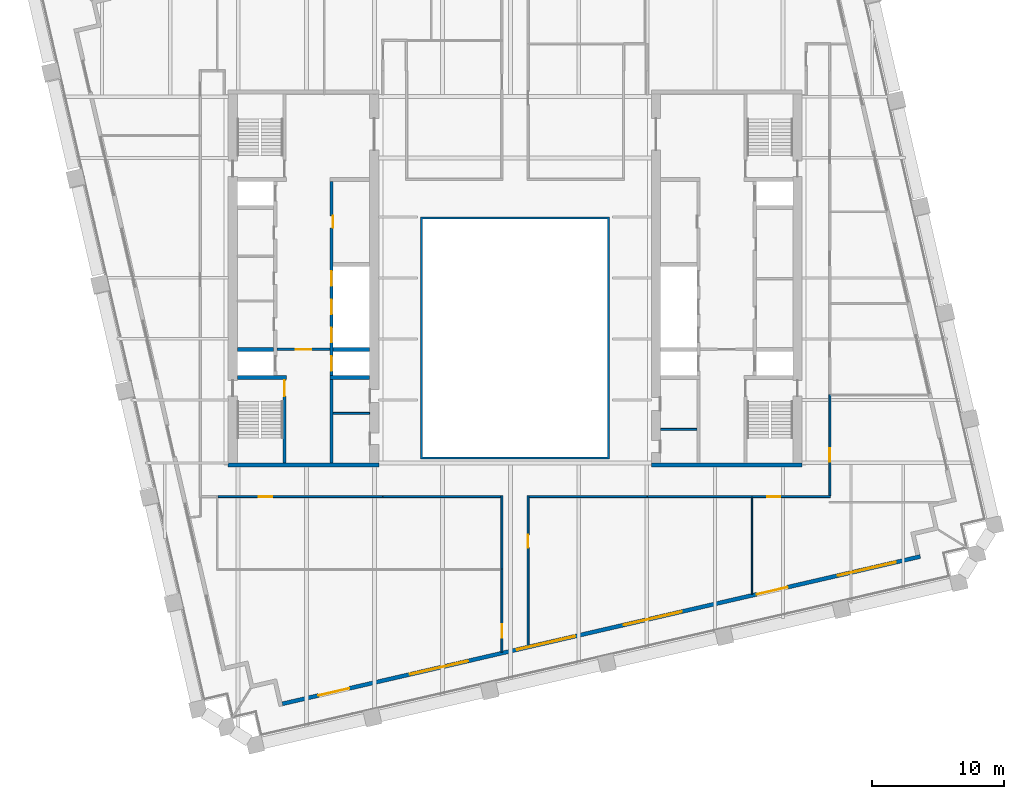
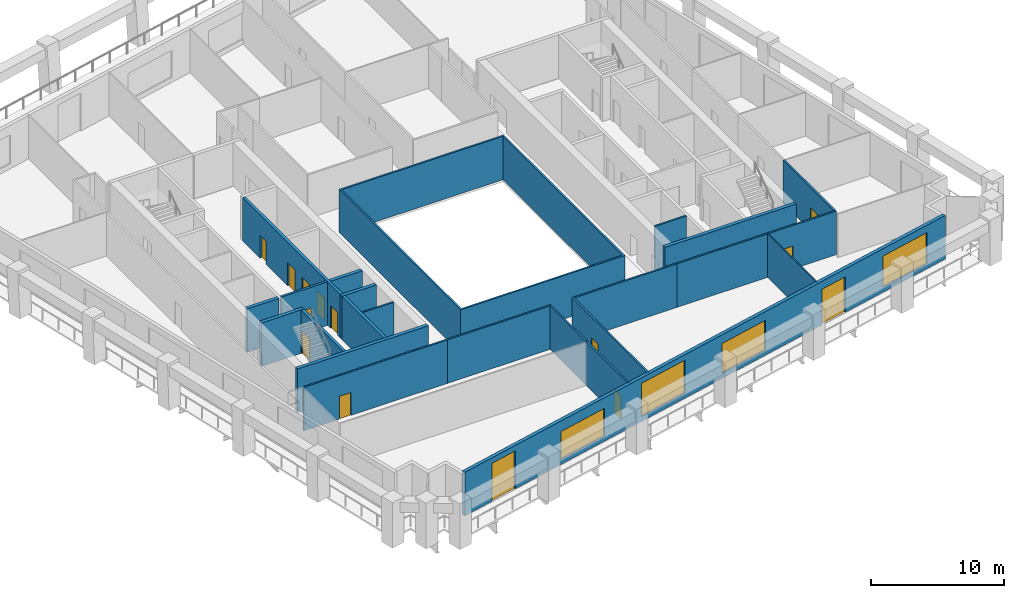
# One storey, part 4 of 10: 23 walls, 14 doors, 4 windows, 18 openings.
"""IFC4 building model written with IfcOpenShell, lengths in metres."""

from ifc_helpers import new_model, si_unit, direction, frame, frame_2d, origin, place, context, subcontext, project, spatial, polyline, rectangle, outline, extrude, material, layer, layer_set, type_object, element, fill, save


model = new_model("IFC4")

# Units and contexts
model_context = context("Model", 3, precision=1e-05, world=origin(), true_north=direction((0.0, 1.0)))
body_context = subcontext(model_context, "Body", "Model", "MODEL_VIEW")
ifc_project = project(units=[si_unit("LENGTHUNIT", "METRE"), si_unit("AREAUNIT", "SQUARE_METRE"), si_unit("VOLUMEUNIT", "CUBIC_METRE"), si_unit("PLANEANGLEUNIT", "RADIAN"), si_unit("MASSUNIT", "GRAM", prefix="KILO")], contexts=[model_context])

# Site, building, storey
site_placement = place(None, origin())
site = spatial("IfcSite", under=ifc_project, at=site_placement, CompositionType="ELEMENT")
building_placement = place(site_placement, origin())
building = spatial("IfcBuilding", under=site, at=building_placement, Name="Ogive Exchange Tower", CompositionType="ELEMENT")
storey_placement = place(building_placement, frame((0.0, 0.0, 201.0)))
storey = spatial("IfcBuildingStorey", under=building, at=storey_placement, Name="L44", CompositionType="ELEMENT", Elevation=201.0)

# Walls
ifc_material_1 = material(Name="Gypsum board partition")
ifc_layer_1 = layer(ifc_material_1, 0.14990234375)
ifc_layer_set_1 = layer_set([ifc_layer_1], Name="Core room partition 150 gypsum")
wall_type_1 = type_object("IfcWallType", Name="Core room partition 150 gypsum", PredefinedType="PARTITIONING", material=ifc_layer_set_1)
for number, where, z_axis, x_axis, name in (
    (1, (-13.75, 1.300048828125, 0.0), (0.0, 0.0, 1.0), (1.0, 0.0, 0.0), "W south room partition"),
    (2, (11.0, 0.10009765625, 0.0), (0.0, 0.0, 1.0), (1.0, 0.0, 0.0), "E south room partition"),
):
    element("IfcWall", number, at=place(storey_placement, frame(where, z_axis=z_axis, x_axis=x_axis)), inside=storey, type_object=wall_type_1, Name=name, PredefinedType="PARTITIONING", context=body_context, shape_type="SweptSolid", body=[
        extrude(rectangle(XDim=2.75, YDim=0.14990234375, at=frame_2d((1.375, 0.0))), origin(), (0.0, 0.0, 1.0), 4.0),
    ])

# Wall, opening, door
ifc_material_2 = material(Name="Fire partition EI 60 150")
ifc_layer_2 = layer(ifc_material_2, 0.14990234375)
ifc_layer_set_2 = layer_set([ifc_layer_2], Name="Fire partition EI 60 150")
wall_type_2 = type_object("IfcWallType", Name="Fire partition EI 60 150", PredefinedType="PARTITIONING", material=ifc_layer_set_2)
wall_1_placement = place(storey_placement, frame((-10.0, -5.0, 0.0), z_axis=(0.0, 0.0, 1.0), x_axis=(-1.0, 0.0, 0.0)))
wall_1 = element("IfcWall", 3, at=wall_1_placement, inside=storey, type_object=wall_type_2, Name="L44-PWL-013", PredefinedType="PARTITIONING", context=body_context, shape_type="SweptSolid", body=[
    extrude(rectangle(XDim=12.469970703125, YDim=0.14990234375, at=frame_2d((6.23486328125, 0.0))), origin(), (0.0, 0.0, 1.0), 4.0),
])
opening_1_placement = place(wall_1_placement, frame((8.3701171875, 0.0, 0.0)))
opening_1 = element("IfcOpeningElement", 4, at=opening_1_placement, cuts=wall_1, Name="Opening L44-I07", PredefinedType="OPENING", context=body_context, shape_type="SweptSolid", body=[
    extrude(rectangle(XDim=1.0, YDim=2.10009765625, at=frame_2d((0.5, 1.050048828125))), frame((0.0, 0.0849609375, 0.0), z_axis=(0.0, -1.0, 0.0), x_axis=(1.0, 0.0, 0.0)), (0.0, 0.0, 1.0), 0.169921875),
])
ifc_material_3 = material(Name="Fire door FD 30S 1000 x 2100")
door_type_1 = type_object("IfcDoorType", Name="Fire door FD 30S 1000 x 2100", OperationType="NOTDEFINED", PredefinedType="DOOR", material=ifc_material_3)
door_1_placement = place(opening_1_placement, origin())
door_1 = element("IfcDoor", 5, at=door_1_placement, inside=storey, type_object=door_type_1, Name="L44-IDR-007", ObjectType="DT3", OperationType="SINGLE_SWING_LEFT", OverallHeight=2.10009765625, OverallWidth=1.0, PredefinedType="DOOR", context=body_context, shape_type="SweptSolid", body=[
    extrude(rectangle(XDim=1.0, YDim=2.10009765625, at=frame_2d((0.5, 1.050048828125))), frame((0.0, 0.02490234375, 0.0), z_axis=(0.0, -1.0, 0.0), x_axis=(1.0, 0.0, 0.0)), (0.0, 0.0, 1.0), 0.050048828125),
])
fill(opening_1, door_1)

wall_2_placement = place(storey_placement, frame((-0.989990234375, -16.7529296875, 0.0), z_axis=(0.0, 0.0, 1.0), x_axis=(0.0, 1.0, 0.0)))
wall_2 = element("IfcWall", 6, at=wall_2_placement, inside=storey, type_object=wall_type_2, Name="L44-PWL-023", PredefinedType="PARTITIONING", context=body_context, shape_type="SweptSolid", body=[
    extrude(rectangle(XDim=6.302978515625, YDim=0.14990234375, at=frame_2d((3.1513671875, 0.0))), origin(), (0.0, 0.0, 1.0), 4.0),
])
opening_2_placement = place(wall_2_placement, frame((1.10302734375, 0.0, 0.0)))
opening_2 = element("IfcOpeningElement", 7, at=opening_2_placement, cuts=wall_2, Name="Opening L44-I08", PredefinedType="OPENING", context=body_context, shape_type="SweptSolid", body=[
    extrude(rectangle(XDim=1.0, YDim=2.10009765625, at=frame_2d((0.5, 1.050048828125))), frame((0.0, 0.0849609375, 0.0), z_axis=(0.0, -1.0, 0.0), x_axis=(1.0, 0.0, 0.0)), (0.0, 0.0, 1.0), 0.169921875),
])
door_2_placement = place(opening_2_placement, origin())
door_2 = element("IfcDoor", 8, at=door_2_placement, inside=storey, type_object=door_type_1, Name="L44-IDR-008", ObjectType="DT3", OperationType="SINGLE_SWING_RIGHT", OverallHeight=2.10009765625, OverallWidth=1.0, PredefinedType="DOOR", context=body_context, shape_type="SweptSolid", body=[
    extrude(rectangle(XDim=1.0, YDim=2.10009765625, at=frame_2d((0.5, 1.050048828125))), frame((0.0, 0.02490234375, 0.0), z_axis=(0.0, -1.0, 0.0), x_axis=(1.0, 0.0, 0.0)), (0.0, 0.0, 1.0), 0.050048828125),
])
fill(opening_2, door_2)

# Walls
wall_3_placement = place(storey_placement, frame((-0.989990234375, -10.449951171875, 0.0), z_axis=(0.0, 0.0, 1.0), x_axis=(0.0, 1.0, 0.0)))
element("IfcWall", 9, at=wall_3_placement, inside=storey, type_object=wall_type_2, Name="L44-PWL-025", PredefinedType="PARTITIONING", context=body_context, shape_type="SweptSolid", body=[
    extrude(rectangle(XDim=5.52490234375, YDim=0.14990234375, at=frame_2d((2.762451171875, 0.0))), origin(), (0.0, 0.0, 1.0), 4.0),
])
wall_4_placement = place(storey_placement, frame((-1.06494140625, -5.0, 0.0), z_axis=(0.0, 0.0, 1.0), x_axis=(-1.0, 0.0, 0.0)))
element("IfcWall", 10, at=wall_4_placement, inside=storey, type_object=wall_type_2, Name="L44-PWL-026", PredefinedType="PARTITIONING", context=body_context, shape_type="SweptSolid", body=[
    extrude(rectangle(XDim=8.93505859375, YDim=0.14990234375, at=frame_2d((4.467529296875, 0.0))), origin(), (0.0, 0.0, 1.0), 4.0),
])

# Wall, opening, door
wall_5_placement = place(storey_placement, frame((0.989990234375, -4.925048828125, 0.0), z_axis=(0.0, 0.0, 1.0), x_axis=(0.0, -1.0, 0.0)))
wall_5 = element("IfcWall", 11, at=wall_5_placement, inside=storey, type_object=wall_type_2, Name="L44-PWL-029", PredefinedType="PARTITIONING", context=body_context, shape_type="SweptSolid", body=[
    extrude(rectangle(XDim=11.370849609375, YDim=0.14990234375, at=frame_2d((5.685546875, 0.0))), origin(), (0.0, 0.0, 1.0), 4.0),
])
opening_3_placement = place(wall_5_placement, frame((2.945068359375, 0.0, 0.0)))
opening_3 = element("IfcOpeningElement", 12, at=opening_3_placement, cuts=wall_5, Name="Opening L44-I12", PredefinedType="OPENING", context=body_context, shape_type="SweptSolid", body=[
    extrude(rectangle(XDim=1.0, YDim=2.10009765625, at=frame_2d((0.5, 1.050048828125))), frame((0.0, 0.0849609375, 0.0), z_axis=(0.0, -1.0, 0.0), x_axis=(1.0, 0.0, 0.0)), (0.0, 0.0, 1.0), 0.169921875),
])
door_3_placement = place(opening_3_placement, origin())
door_3 = element("IfcDoor", 13, at=door_3_placement, inside=storey, type_object=door_type_1, Name="L44-IDR-012", ObjectType="DT3", OperationType="SINGLE_SWING_RIGHT", OverallHeight=2.10009765625, OverallWidth=1.0, PredefinedType="DOOR", context=body_context, shape_type="SweptSolid", body=[
    extrude(rectangle(XDim=1.0, YDim=2.10009765625, at=frame_2d((0.5, 1.050048828125))), frame((0.0, 0.02490234375, 0.0), z_axis=(0.0, -1.0, 0.0), x_axis=(1.0, 0.0, 0.0)), (0.0, 0.0, 1.0), 0.050048828125),
])
fill(opening_3, door_3)

# Walls
wall_6_placement = place(storey_placement, frame((10.0, -5.0, 0.0), z_axis=(0.0, 0.0, 1.0), x_axis=(-1.0, 0.0, 0.0)))
element("IfcWall", 14, at=wall_6_placement, inside=storey, type_object=wall_type_2, Name="L44-PWL-039", PredefinedType="PARTITIONING", context=body_context, shape_type="SweptSolid", body=[
    extrude(rectangle(XDim=8.93505859375, YDim=0.14990234375, at=frame_2d((4.467529296875, 0.0))), origin(), (0.0, 0.0, 1.0), 4.0),
])
wall_7_placement = place(storey_placement, frame((17.969970703125, -5.0, 0.0), z_axis=(0.0, 0.0, 1.0), x_axis=(-1.0, 0.0, 0.0)))
element("IfcWall", 15, at=wall_7_placement, inside=storey, type_object=wall_type_2, Name="L44-PWL-041", PredefinedType="PARTITIONING", context=body_context, shape_type="SweptSolid", body=[
    extrude(rectangle(XDim=7.969970703125, YDim=0.14990234375, at=frame_2d((3.98486328125, 0.0))), origin(), (0.0, 0.0, 1.0), 4.0),
])

# Wall, opening, door
wall_8_placement = place(storey_placement, frame((23.840087890625, -5.0, 0.0), z_axis=(0.0, 0.0, 1.0), x_axis=(-1.0, 0.0, 0.0)))
wall_8 = element("IfcWall", 16, at=wall_8_placement, inside=storey, type_object=wall_type_2, Name="L44-PWL-047", PredefinedType="PARTITIONING", context=body_context, shape_type="SweptSolid", body=[
    extrude(rectangle(XDim=5.920166015625, YDim=0.14990234375, at=frame_2d((2.9599609375, 0.0))), origin(), (0.0, 0.0, 1.0), 4.0),
])
opening_4_placement = place(wall_8_placement, frame((3.77001953125, 0.0, 0.0)))
opening_4 = element("IfcOpeningElement", 17, at=opening_4_placement, cuts=wall_8, Name="Opening L44-I13", PredefinedType="OPENING", context=body_context, shape_type="SweptSolid", body=[
    extrude(rectangle(XDim=1.0, YDim=2.10009765625, at=frame_2d((0.5, 1.050048828125))), frame((0.0, 0.0849609375, 0.0), z_axis=(0.0, -1.0, 0.0), x_axis=(1.0, 0.0, 0.0)), (0.0, 0.0, 1.0), 0.169921875),
])
door_4_placement = place(opening_4_placement, origin())
door_4 = element("IfcDoor", 18, at=door_4_placement, inside=storey, type_object=door_type_1, Name="L44-IDR-013", ObjectType="DT3", OperationType="SINGLE_SWING_LEFT", OverallHeight=2.10009765625, OverallWidth=1.0, PredefinedType="DOOR", context=body_context, shape_type="SweptSolid", body=[
    extrude(rectangle(XDim=1.0, YDim=2.10009765625, at=frame_2d((0.5, 1.050048828125))), frame((0.0, 0.02490234375, 0.0), z_axis=(0.0, -1.0, 0.0), x_axis=(1.0, 0.0, 0.0)), (0.0, 0.0, 1.0), 0.050048828125),
])
fill(opening_4, door_4)

wall_9_placement = place(storey_placement, frame((23.800048828125, 2.739990234375, 0.0), z_axis=(0.0, 0.0, 1.0), x_axis=(0.0, -1.0, 0.0)))
wall_9 = element("IfcWall", 19, at=wall_9_placement, inside=storey, type_object=wall_type_2, Name="L44-PWL-050", PredefinedType="PARTITIONING", context=body_context, shape_type="SweptSolid", body=[
    extrude(rectangle(XDim=7.6650390625, YDim=0.14990234375, at=frame_2d((3.83251953125, 0.0))), origin(), (0.0, 0.0, 1.0), 4.0),
])
opening_5_placement = place(wall_9_placement, frame((4.090087890625, 0.0, 0.0)))
opening_5 = element("IfcOpeningElement", 20, at=opening_5_placement, cuts=wall_9, Name="Opening L44-I15", PredefinedType="OPENING", context=body_context, shape_type="SweptSolid", body=[
    extrude(rectangle(XDim=1.0, YDim=2.10009765625, at=frame_2d((0.5, 1.050048828125))), frame((0.0, 0.0849609375, 0.0), z_axis=(0.0, -1.0, 0.0), x_axis=(1.0, 0.0, 0.0)), (0.0, 0.0, 1.0), 0.169921875),
])
door_5_placement = place(opening_5_placement, origin())
door_5 = element("IfcDoor", 21, at=door_5_placement, inside=storey, type_object=door_type_1, Name="L44-IDR-015", ObjectType="DT3", OperationType="SINGLE_SWING_LEFT", OverallHeight=2.10009765625, OverallWidth=1.0, PredefinedType="DOOR", context=body_context, shape_type="SweptSolid", body=[
    extrude(rectangle(XDim=1.0, YDim=2.10009765625, at=frame_2d((0.5, 1.050048828125))), frame((0.0, 0.02490234375, 0.0), z_axis=(0.0, -1.0, 0.0), x_axis=(1.0, 0.0, 0.0)), (0.0, 0.0, 1.0), 0.050048828125),
])
fill(opening_5, door_5)

# Wall
ifc_material_4 = material(Name="Fire-resisting glass in steel frame", Category="steel")
ifc_layer_3 = layer(ifc_material_4, 0.14990234375)
ifc_layer_set_3 = layer_set([ifc_layer_3], Name="Fire-rated glazed wall 150")
wall_type_3 = type_object("IfcWallType", Name="Fire-rated glazed wall 150", PredefinedType="STANDARD", material=ifc_layer_set_3)
wall_10_placement = place(storey_placement, origin())
element("IfcWall", 22, at=wall_10_placement, inside=storey, type_object=wall_type_3, Name="Nave enclosure wall", PredefinedType="STANDARD", context=body_context, shape_type="SweptSolid", body=[
    extrude(outline(polyline([(-7.14990234375, -2.14990234375), (7.14990234375, -2.14990234375), (7.14990234375, 16.14990234375), (-7.14990234375, 16.14990234375), (-7.14990234375, -2.14990234375)]), holes=[polyline([(-7.0, -2.0), (-7.0, 16.0), (7.0, 16.0), (7.0, -2.0), (-7.0, -2.0)])]), origin(), (0.0, 0.0, 1.0), 4.0),
])

# Wall, openings, doors, windows
ifc_material_5 = material(Name="Precast concrete C40/50", Category="concrete")
ifc_layer_4 = layer(ifc_material_5, 0.300048828125)
ifc_layer_set_4 = layer_set([ifc_layer_4], Name="Limestone-faced wall 300")
wall_type_4 = type_object("IfcWallType", Name="Limestone-faced wall 300", PredefinedType="STANDARD", material=ifc_layer_set_4)
wall_11_placement = place(storey_placement, frame((-17.592041015625, -20.6572265625, 0.0), z_axis=(0.0, 0.0, 1.0), x_axis=(0.974370243697, 0.224950279389, 0.0)))
wall_11 = element("IfcWall", 23, at=wall_11_placement, inside=storey, type_object=wall_type_4, Name="External wall S1", PredefinedType="STANDARD", context=body_context, shape_type="SweptSolid", body=[
    extrude(rectangle(XDim=49.499755859375, YDim=0.300048828125, at=frame_2d((24.75, 0.0))), origin(), (0.0, 0.0, 1.0), 4.0),
])
opening_6_placement = place(wall_11_placement, frame((2.800048828125, 0.0, 0.0)))
opening_6 = element("IfcOpeningElement", 24, at=opening_6_placement, cuts=wall_11, Name="Opening D1", PredefinedType="OPENING", context=body_context, shape_type="SweptSolid", body=[
    extrude(rectangle(XDim=2.39990234375, YDim=3.5, at=frame_2d((1.199951171875, 1.75))), frame((0.0, 0.159912109375, 0.0), z_axis=(0.0, -1.0, 0.0), x_axis=(1.0, 0.0, 0.0)), (0.0, 0.0, 1.0), 0.320068359375),
])
opening_7_placement = place(wall_11_placement, frame((9.89990234375, 0.0, 0.449951171875)))
opening_7 = element("IfcOpeningElement", 25, at=opening_7_placement, cuts=wall_11, Name="Opening W1M", PredefinedType="OPENING", context=body_context, shape_type="SweptSolid", body=[
    extrude(rectangle(XDim=4.5, YDim=2.574951171875, at=frame_2d((2.25, 1.28759765625))), frame((0.0, 0.159912109375, 0.0), z_axis=(0.0, -1.0, 0.0), x_axis=(1.0, 0.0, 0.0)), (0.0, 0.0, 1.0), 0.320068359375),
])
opening_8_placement = place(wall_11_placement, frame((18.199951171875, 0.0, 0.449951171875)))
opening_8 = element("IfcOpeningElement", 26, at=opening_8_placement, cuts=wall_11, Name="Opening W1", PredefinedType="OPENING", context=body_context, shape_type="SweptSolid", body=[
    extrude(rectangle(XDim=4.5, YDim=3.050048828125, at=frame_2d((2.25, 1.52490234375))), frame((0.0, 0.159912109375, 0.0), z_axis=(0.0, -1.0, 0.0), x_axis=(1.0, 0.0, 0.0)), (0.0, 0.0, 1.0), 0.320068359375),
])
opening_9_placement = place(wall_11_placement, frame((26.5, 0.0, 0.449951171875)))
opening_9 = element("IfcOpeningElement", 27, at=opening_9_placement, cuts=wall_11, Name="Opening W1H", PredefinedType="OPENING", context=body_context, shape_type="SweptSolid", body=[
    extrude(rectangle(XDim=4.5, YDim=2.75, at=frame_2d((2.25, 1.375))), frame((0.0, 0.159912109375, 0.0), z_axis=(0.0, -1.0, 0.0), x_axis=(1.0, 0.0, 0.0)), (0.0, 0.0, 1.0), 0.320068359375),
])
opening_10_placement = place(wall_11_placement, frame((36.800048828125, 0.0, 0.0)))
opening_10 = element("IfcOpeningElement", 28, at=opening_10_placement, cuts=wall_11, Name="Opening D1E", PredefinedType="OPENING", context=body_context, shape_type="SweptSolid", body=[
    extrude(rectangle(XDim=2.39990234375, YDim=3.27490234375, at=frame_2d((1.199951171875, 1.637451171875))), frame((0.0, 0.159912109375, 0.0), z_axis=(0.0, -1.0, 0.0), x_axis=(1.0, 0.0, 0.0)), (0.0, 0.0, 1.0), 0.320068359375),
])
opening_11_placement = place(wall_11_placement, frame((43.10009765625, 0.0, 0.449951171875)))
opening_11 = element("IfcOpeningElement", 29, at=opening_11_placement, cuts=wall_11, Name="Opening W1D", PredefinedType="OPENING", context=body_context, shape_type="SweptSolid", body=[
    extrude(rectangle(XDim=4.5, YDim=2.875, at=frame_2d((2.25, 1.4375))), frame((0.0, 0.159912109375, 0.0), z_axis=(0.0, -1.0, 0.0), x_axis=(1.0, 0.0, 0.0)), (0.0, 0.0, 1.0), 0.320068359375),
])
ifc_material_6 = material(Name="Clear glass in bronze frame", Category="glass")
door_type_2 = type_object("IfcDoorType", Name="Sliding loggia door 2400 x 3275", OperationType="DOUBLE_DOOR_SLIDING", PredefinedType="DOOR", material=ifc_material_6)
door_6_placement = place(opening_10_placement, origin())
door_6 = element("IfcDoor", 30, at=door_6_placement, inside=storey, type_object=door_type_2, Name="Loggia door S04", OperationType="DOUBLE_DOOR_SLIDING", OverallHeight=3.27490234375, OverallWidth=2.39990234375, PredefinedType="DOOR", context=body_context, shape_type="SweptSolid", body=[
    extrude(rectangle(XDim=2.39990234375, YDim=3.27490234375, at=frame_2d((1.199951171875, 1.637451171875))), frame((0.0, 0.02490234375, 0.0), z_axis=(0.0, -1.0, 0.0), x_axis=(1.0, 0.0, 0.0)), (0.0, 0.0, 1.0), 0.050048828125),
])
fill(opening_10, door_6)
door_type_3 = type_object("IfcDoorType", Name="Sliding loggia door 2400 x 3500", OperationType="DOUBLE_DOOR_SLIDING", PredefinedType="DOOR", material=ifc_material_6)
door_7_placement = place(opening_6_placement, origin())
door_7 = element("IfcDoor", 31, at=door_7_placement, inside=storey, type_object=door_type_3, Name="Loggia door S00", OperationType="DOUBLE_DOOR_SLIDING", OverallHeight=3.5, OverallWidth=2.39990234375, PredefinedType="DOOR", context=body_context, shape_type="SweptSolid", body=[
    extrude(rectangle(XDim=2.39990234375, YDim=3.5, at=frame_2d((1.199951171875, 1.75))), frame((0.0, 0.02490234375, 0.0), z_axis=(0.0, -1.0, 0.0), x_axis=(1.0, 0.0, 0.0)), (0.0, 0.0, 1.0), 0.050048828125),
])
fill(opening_6, door_7)
window_type_1 = type_object("IfcWindowType", Name="Twin lancet window 4500 x 2575", PartitioningType="DOUBLE_PANEL_VERTICAL", PredefinedType="WINDOW", material=ifc_material_6)
window_1_placement = place(opening_7_placement, origin())
window_1 = element("IfcWindow", 32, at=window_1_placement, inside=storey, type_object=window_type_1, Name="Window S01", OverallHeight=2.574951171875, OverallWidth=4.5, PartitioningType="DOUBLE_PANEL_VERTICAL", PredefinedType="WINDOW", context=body_context, shape_type="SweptSolid", body=[
    extrude(rectangle(XDim=4.5, YDim=2.574951171875, at=frame_2d((2.25, 1.28759765625))), frame((0.0, 0.030029296875, 0.0), z_axis=(0.0, -1.0, 0.0), x_axis=(1.0, 0.0, 0.0)), (0.0, 0.0, 1.0), 0.06005859375),
])
fill(opening_7, window_1)
window_type_2 = type_object("IfcWindowType", Name="Twin lancet window 4500 x 2750", PartitioningType="DOUBLE_PANEL_VERTICAL", PredefinedType="WINDOW", material=ifc_material_6)
window_2_placement = place(opening_9_placement, origin())
window_2 = element("IfcWindow", 33, at=window_2_placement, inside=storey, type_object=window_type_2, Name="Window S03", OverallHeight=2.75, OverallWidth=4.5, PartitioningType="DOUBLE_PANEL_VERTICAL", PredefinedType="WINDOW", context=body_context, shape_type="SweptSolid", body=[
    extrude(rectangle(XDim=4.5, YDim=2.75, at=frame_2d((2.25, 1.375))), frame((0.0, 0.030029296875, 0.0), z_axis=(0.0, -1.0, 0.0), x_axis=(1.0, 0.0, 0.0)), (0.0, 0.0, 1.0), 0.06005859375),
])
fill(opening_9, window_2)
window_type_3 = type_object("IfcWindowType", Name="Twin lancet window 4500 x 2875", PartitioningType="DOUBLE_PANEL_VERTICAL", PredefinedType="WINDOW", material=ifc_material_6)
window_3_placement = place(opening_11_placement, origin())
window_3 = element("IfcWindow", 34, at=window_3_placement, inside=storey, type_object=window_type_3, Name="Window S05", OverallHeight=2.875, OverallWidth=4.5, PartitioningType="DOUBLE_PANEL_VERTICAL", PredefinedType="WINDOW", context=body_context, shape_type="SweptSolid", body=[
    extrude(rectangle(XDim=4.5, YDim=2.875, at=frame_2d((2.25, 1.4375))), frame((0.0, 0.030029296875, 0.0), z_axis=(0.0, -1.0, 0.0), x_axis=(1.0, 0.0, 0.0)), (0.0, 0.0, 1.0), 0.06005859375),
])
fill(opening_11, window_3)
window_type_4 = type_object("IfcWindowType", Name="Twin lancet window 4500 x 3050", PartitioningType="DOUBLE_PANEL_VERTICAL", PredefinedType="WINDOW", material=ifc_material_6)
window_4_placement = place(opening_8_placement, origin())
window_4 = element("IfcWindow", 35, at=window_4_placement, inside=storey, type_object=window_type_4, Name="Window S02", OverallHeight=3.050048828125, OverallWidth=4.5, PartitioningType="DOUBLE_PANEL_VERTICAL", PredefinedType="WINDOW", context=body_context, shape_type="SweptSolid", body=[
    extrude(rectangle(XDim=4.5, YDim=3.050048828125, at=frame_2d((2.25, 1.52490234375))), frame((0.0, 0.030029296875, 0.0), z_axis=(0.0, -1.0, 0.0), x_axis=(1.0, 0.0, 0.0)), (0.0, 0.0, 1.0), 0.06005859375),
])
fill(opening_8, window_4)

# Wall
ifc_material_7 = material(Name="Partition 100 gypsum")
ifc_layer_5 = layer(ifc_material_7, 0.10009765625)
ifc_layer_set_5 = layer_set([ifc_layer_5], Name="Partition 100 gypsum")
wall_type_5 = type_object("IfcWallType", Name="Partition 100 gypsum", PredefinedType="PARTITIONING", material=ifc_layer_set_5)
wall_12_placement = place(storey_placement, frame((17.919921875, -5.074951171875, 0.0), z_axis=(0.0, 0.0, 1.0), x_axis=(0.0, -1.0, 0.0)))
element("IfcWall", 36, at=wall_12_placement, inside=storey, type_object=wall_type_5, Name="L44-PWL-042", PredefinedType="PARTITIONING", context=body_context, shape_type="SweptSolid", body=[
    extrude(rectangle(XDim=7.31201171875, YDim=0.10009765625, at=frame_2d((3.656005859375, 0.0))), origin(), (0.0, 0.0, 1.0), 4.0),
])

# Wall, opening, door
ifc_material_8 = material(Name="Concrete C70/85", Category="concrete")
ifc_layer_6 = layer(ifc_material_8, 0.199951171875)
ifc_layer_set_6 = layer_set([ifc_layer_6], Name="RC core wall 200 C70/85")
wall_type_6 = type_object("IfcWallType", Name="RC core wall 200 C70/85", PredefinedType="SHEAR", material=ifc_layer_set_6)
wall_13_placement = place(storey_placement, frame((-18.0, 6.142822265625, 0.0), z_axis=(0.0, 0.0, 1.0), x_axis=(1.0, 0.0, 0.0)))
wall_13 = element("IfcWall", 37, at=wall_13_placement, inside=storey, type_object=wall_type_6, Name="W firefighting lobby wall", PredefinedType="SHEAR", context=body_context, shape_type="SweptSolid", body=[
    extrude(rectangle(XDim=4.0, YDim=0.199951171875, at=frame_2d((2.0, 0.0))), origin(), (0.0, 0.0, 1.0), 4.0),
])
opening_12_placement = place(wall_13_placement, frame((1.39990234375, 0.0, 0.0)))
opening_12 = element("IfcOpeningElement", 38, at=opening_12_placement, cuts=wall_13, Name="Opening L44-C11", PredefinedType="OPENING", context=body_context, shape_type="SweptSolid", body=[
    extrude(rectangle(XDim=1.199951171875, YDim=2.10009765625, at=frame_2d((0.60009765625, 1.050048828125))), frame((0.0, 0.10986328125, 0.0), z_axis=(0.0, -1.0, 0.0), x_axis=(1.0, 0.0, 0.0)), (0.0, 0.0, 1.0), 0.219970703125),
])
ifc_material_9 = material(Name="Steel fire door", Category="steel")
door_type_4 = type_object("IfcDoorType", Name="Firefighting lobby door FD60 1200 x 2100", OperationType="NOTDEFINED", PredefinedType="DOOR", material=ifc_material_9)
door_8_placement = place(opening_12_placement, frame((1.199951171875, 0.0, 0.0), z_axis=(0.0, 0.0, 1.0), x_axis=(-1.0, 0.0, 0.0)))
door_8 = element("IfcDoor", 39, at=door_8_placement, inside=storey, type_object=door_type_4, Name="Firefighting lobby door", ObjectType="CD3", OperationType="SINGLE_SWING_LEFT", OverallHeight=2.10009765625, OverallWidth=1.199951171875, PredefinedType="DOOR", context=body_context, shape_type="SweptSolid", body=[
    extrude(rectangle(XDim=1.199951171875, YDim=2.10009765625, at=frame_2d((0.60009765625, 1.050048828125))), frame((0.0, 0.02490234375, 0.0), z_axis=(0.0, -1.0, 0.0), x_axis=(1.0, 0.0, 0.0)), (0.0, 0.0, 1.0), 0.050048828125),
])
fill(opening_12, door_8)

ifc_layer_7 = layer(ifc_material_8, 0.25)
ifc_layer_set_7 = layer_set([ifc_layer_7], Name="RC core wall 250 C70/85")
wall_type_7 = type_object("IfcWallType", Name="RC core wall 250 C70/85", PredefinedType="SHEAR", material=ifc_layer_set_7)
wall_14_placement = place(storey_placement, frame((-17.425048828125, -2.449951171875, 0.0), z_axis=(0.0, 0.0, 1.0), x_axis=(0.0, 1.0, 0.0)))
wall_14 = element("IfcWall", 40, at=wall_14_placement, inside=storey, type_object=wall_type_7, Name="W stair S front wall", PredefinedType="SHEAR", context=body_context, shape_type="SweptSolid", body=[
    extrude(rectangle(XDim=6.300048828125, YDim=0.25, at=frame_2d((3.14990234375, 0.0))), origin(), (0.0, 0.0, 1.0), 4.0),
])
opening_13_placement = place(wall_14_placement, frame((5.050048828125, 0.0, 0.0)))
opening_13 = element("IfcOpeningElement", 41, at=opening_13_placement, cuts=wall_14, Name="Opening L44-C13", PredefinedType="OPENING", context=body_context, shape_type="SweptSolid", body=[
    extrude(rectangle(XDim=1.199951171875, YDim=2.10009765625, at=frame_2d((0.60009765625, 1.050048828125))), frame((0.0, 0.135009765625, 0.0), z_axis=(0.0, -1.0, 0.0), x_axis=(1.0, 0.0, 0.0)), (0.0, 0.0, 1.0), 0.27001953125),
])
door_type_5 = type_object("IfcDoorType", Name="Stair door FD90 1200 x 2100", OperationType="NOTDEFINED", PredefinedType="DOOR", material=ifc_material_9)
door_9_placement = place(opening_13_placement, origin())
door_9 = element("IfcDoor", 42, at=door_9_placement, inside=storey, type_object=door_type_5, Name="Stair door", ObjectType="CD5", OperationType="SINGLE_SWING_LEFT", OverallHeight=2.10009765625, OverallWidth=1.199951171875, PredefinedType="DOOR", context=body_context, shape_type="SweptSolid", body=[
    extrude(rectangle(XDim=1.199951171875, YDim=2.10009765625, at=frame_2d((0.60009765625, 1.050048828125))), frame((0.0, 0.02490234375, 0.0), z_axis=(0.0, -1.0, 0.0), x_axis=(1.0, 0.0, 0.0)), (0.0, 0.0, 1.0), 0.050048828125),
])
fill(opening_13, door_9)

# Wall, openings, doors
wall_15_placement = place(storey_placement, frame((-13.875, -2.449951171875, 0.0), z_axis=(0.0, 0.0, 1.0), x_axis=(0.0, 1.0, 0.0)))
wall_15 = element("IfcWall", 43, at=wall_15_placement, inside=storey, type_object=wall_type_7, Name="W row B front wall", PredefinedType="SHEAR", context=body_context, shape_type="SweptSolid", body=[
    extrude(rectangle(XDim=21.300048828125, YDim=0.25, at=frame_2d((10.64990234375, 0.0))), origin(), (0.0, 0.0, 1.0), 4.0),
])
opening_14_placement = place(wall_15_placement, frame((17.78564453125, 0.0, 0.0)))
opening_14 = element("IfcOpeningElement", 44, at=opening_14_placement, cuts=wall_15, Name="Opening L44-C06", PredefinedType="OPENING", context=body_context, shape_type="SweptSolid", body=[
    extrude(rectangle(XDim=0.89990234375, YDim=2.10009765625, at=frame_2d((0.449951171875, 1.050048828125))), frame((0.0, 0.135009765625, 0.0), z_axis=(0.0, -1.0, 0.0), x_axis=(1.0, 0.0, 0.0)), (0.0, 0.0, 1.0), 0.27001953125),
])
opening_15_placement = place(wall_15_placement, frame((6.971435546875, 0.0, 0.0)))
opening_15 = element("IfcOpeningElement", 45, at=opening_15_placement, cuts=wall_15, Name="Opening L44-C07", PredefinedType="OPENING", context=body_context, shape_type="SweptSolid", body=[
    extrude(rectangle(XDim=1.10009765625, YDim=2.10009765625, at=frame_2d((0.550048828125, 1.050048828125))), frame((0.0, 0.135009765625, 0.0), z_axis=(0.0, -1.0, 0.0), x_axis=(1.0, 0.0, 0.0)), (0.0, 0.0, 1.0), 0.27001953125),
])
opening_16_placement = place(wall_15_placement, frame((9.1142578125, 0.0, 0.0)))
opening_16 = element("IfcOpeningElement", 46, at=opening_16_placement, cuts=wall_15, Name="Opening L44-C08", PredefinedType="OPENING", context=body_context, shape_type="SweptSolid", body=[
    extrude(rectangle(XDim=1.10009765625, YDim=2.10009765625, at=frame_2d((0.550048828125, 1.050048828125))), frame((0.0, 0.135009765625, 0.0), z_axis=(0.0, -1.0, 0.0), x_axis=(1.0, 0.0, 0.0)), (0.0, 0.0, 1.0), 0.27001953125),
])
opening_17_placement = place(wall_15_placement, frame((11.257080078125, 0.0, 0.0)))
opening_17 = element("IfcOpeningElement", 47, at=opening_17_placement, cuts=wall_15, Name="Opening L44-C09", PredefinedType="OPENING", context=body_context, shape_type="SweptSolid", body=[
    extrude(rectangle(XDim=1.10009765625, YDim=2.10009765625, at=frame_2d((0.550048828125, 1.050048828125))), frame((0.0, 0.135009765625, 0.0), z_axis=(0.0, -1.0, 0.0), x_axis=(1.0, 0.0, 0.0)), (0.0, 0.0, 1.0), 0.27001953125),
])
opening_18_placement = place(wall_15_placement, frame((13.39990234375, 0.0, 0.0)))
opening_18 = element("IfcOpeningElement", 48, at=opening_18_placement, cuts=wall_15, Name="Opening L44-C10", PredefinedType="OPENING", context=body_context, shape_type="SweptSolid", body=[
    extrude(rectangle(XDim=1.10009765625, YDim=2.10009765625, at=frame_2d((0.550048828125, 1.050048828125))), frame((0.0, 0.135009765625, 0.0), z_axis=(0.0, -1.0, 0.0), x_axis=(1.0, 0.0, 0.0)), (0.0, 0.0, 1.0), 0.27001953125),
])
ifc_material_10 = material(Name="Stainless steel", Category="steel")
door_type_6 = type_object("IfcDoorType", Name="Lift landing door FD90 1100 x 2100", OperationType="SLIDING_TO_LEFT", PredefinedType="DOOR", material=ifc_material_10)
door_10_placement = place(opening_15_placement, origin())
door_10 = element("IfcDoor", 49, at=door_10_placement, inside=storey, type_object=door_type_6, Name="Lift landing door SV1", ObjectType="LD", OperationType="SLIDING_TO_LEFT", OverallHeight=2.10009765625, OverallWidth=1.10009765625, PredefinedType="DOOR", context=body_context, shape_type="SweptSolid", body=[
    extrude(rectangle(XDim=1.10009765625, YDim=2.10009765625, at=frame_2d((0.550048828125, 1.050048828125))), frame((0.0, 0.02490234375, 0.0), z_axis=(0.0, -1.0, 0.0), x_axis=(1.0, 0.0, 0.0)), (0.0, 0.0, 1.0), 0.050048828125),
])
fill(opening_15, door_10)
door_11_placement = place(opening_16_placement, origin())
door_11 = element("IfcDoor", 50, at=door_11_placement, inside=storey, type_object=door_type_6, Name="Lift landing door W-M1", ObjectType="LD", OperationType="SLIDING_TO_LEFT", OverallHeight=2.10009765625, OverallWidth=1.10009765625, PredefinedType="DOOR", context=body_context, shape_type="SweptSolid", body=[
    extrude(rectangle(XDim=1.10009765625, YDim=2.10009765625, at=frame_2d((0.550048828125, 1.050048828125))), frame((0.0, 0.02490234375, 0.0), z_axis=(0.0, -1.0, 0.0), x_axis=(1.0, 0.0, 0.0)), (0.0, 0.0, 1.0), 0.050048828125),
])
fill(opening_16, door_11)
door_12_placement = place(opening_17_placement, origin())
door_12 = element("IfcDoor", 51, at=door_12_placement, inside=storey, type_object=door_type_6, Name="Lift landing door W-M2", ObjectType="LD", OperationType="SLIDING_TO_LEFT", OverallHeight=2.10009765625, OverallWidth=1.10009765625, PredefinedType="DOOR", context=body_context, shape_type="SweptSolid", body=[
    extrude(rectangle(XDim=1.10009765625, YDim=2.10009765625, at=frame_2d((0.550048828125, 1.050048828125))), frame((0.0, 0.02490234375, 0.0), z_axis=(0.0, -1.0, 0.0), x_axis=(1.0, 0.0, 0.0)), (0.0, 0.0, 1.0), 0.050048828125),
])
fill(opening_17, door_12)
door_13_placement = place(opening_18_placement, origin())
door_13 = element("IfcDoor", 52, at=door_13_placement, inside=storey, type_object=door_type_6, Name="Lift landing door W-M3", ObjectType="LD", OperationType="SLIDING_TO_LEFT", OverallHeight=2.10009765625, OverallWidth=1.10009765625, PredefinedType="DOOR", context=body_context, shape_type="SweptSolid", body=[
    extrude(rectangle(XDim=1.10009765625, YDim=2.10009765625, at=frame_2d((0.550048828125, 1.050048828125))), frame((0.0, 0.02490234375, 0.0), z_axis=(0.0, -1.0, 0.0), x_axis=(1.0, 0.0, 0.0)), (0.0, 0.0, 1.0), 0.050048828125),
])
fill(opening_18, door_13)
door_type_7 = type_object("IfcDoorType", Name="Riser door FD60 900 x 2100", OperationType="NOTDEFINED", PredefinedType="DOOR", material=ifc_material_9)
door_14_placement = place(opening_14_placement, frame((0.89990234375, -0.2001953125, 0.0), z_axis=(0.0, 0.0, 1.0), x_axis=(-1.0, 0.0, 0.0)))
door_14 = element("IfcDoor", 53, at=door_14_placement, inside=storey, type_object=door_type_7, Name="Riser door", ObjectType="CD2", OperationType="SINGLE_SWING_LEFT", OverallHeight=2.10009765625, OverallWidth=0.89990234375, PredefinedType="DOOR", context=body_context, shape_type="SweptSolid", body=[
    extrude(rectangle(XDim=0.89990234375, YDim=2.10009765625, at=frame_2d((0.449951171875, 1.050048828125))), frame((0.0, -0.0751953125, 0.0), z_axis=(0.0, -1.0, 0.0), x_axis=(1.0, 0.0, 0.0)), (0.0, 0.0, 1.0), 0.050048828125),
])
fill(opening_14, door_14)

# Walls
ifc_layer_8 = layer(ifc_material_8, 0.300048828125)
ifc_layer_set_8 = layer_set([ifc_layer_8], Name="RC core wall 300 C70/85")
wall_type_8 = type_object("IfcWallType", Name="RC core wall 300 C70/85", PredefinedType="SHEAR", material=ifc_layer_set_8)
wall_16_placement = place(storey_placement, frame((-21.699951171875, -2.60009765625, 0.0), z_axis=(0.0, 0.0, 1.0), x_axis=(1.0, 0.0, 0.0)))
element("IfcWall", 54, at=wall_16_placement, inside=storey, type_object=wall_type_8, Name="W south end wall", PredefinedType="SHEAR", context=body_context, shape_type="SweptSolid", body=[
    extrude(rectangle(XDim=11.39990234375, YDim=0.300048828125, at=frame_2d((5.699951171875, 0.0))), origin(), (0.0, 0.0, 1.0), 4.0),
])
wall_17_placement = place(storey_placement, frame((-21.0, 4.0, 0.0), z_axis=(0.0, 0.0, 1.0), x_axis=(1.0, 0.0, 0.0)))
element("IfcWall", 55, at=wall_17_placement, inside=storey, type_object=wall_type_8, Name="W stair S north wall", PredefinedType="SHEAR", context=body_context, shape_type="SweptSolid", body=[
    extrude(rectangle(XDim=3.699951171875, YDim=0.300048828125, at=frame_2d((1.85009765625, 0.0))), origin(), (0.0, 0.0, 1.0), 4.0),
])
wall_18_placement = place(storey_placement, frame((-21.0, 6.142822265625, 0.0), z_axis=(0.0, 0.0, 1.0), x_axis=(1.0, 0.0, 0.0)))
element("IfcWall", 56, at=wall_18_placement, inside=storey, type_object=wall_type_8, Name="W row A divider 1", PredefinedType="SHEAR", context=body_context, shape_type="SweptSolid", body=[
    extrude(rectangle(XDim=2.75, YDim=0.300048828125, at=frame_2d((1.375, 0.0))), origin(), (0.0, 0.0, 1.0), 4.0),
])
wall_19_placement = place(storey_placement, frame((-14.0, 4.0, 0.0), z_axis=(0.0, 0.0, 1.0), x_axis=(1.0, 0.0, 0.0)))
element("IfcWall", 57, at=wall_19_placement, inside=storey, type_object=wall_type_8, Name="W row B divider 0", PredefinedType="SHEAR", context=body_context, shape_type="SweptSolid", body=[
    extrude(rectangle(XDim=3.0, YDim=0.300048828125, at=frame_2d((1.5, 0.0))), origin(), (0.0, 0.0, 1.0), 4.0),
])
wall_20_placement = place(storey_placement, frame((-13.75, 6.142822265625, 0.0), z_axis=(0.0, 0.0, 1.0), x_axis=(1.0, 0.0, 0.0)))
element("IfcWall", 58, at=wall_20_placement, inside=storey, type_object=wall_type_8, Name="W row B divider 1", PredefinedType="SHEAR", context=body_context, shape_type="SweptSolid", body=[
    extrude(rectangle(XDim=2.75, YDim=0.300048828125, at=frame_2d((1.375, 0.0))), origin(), (0.0, 0.0, 1.0), 4.0),
])
wall_21_placement = place(storey_placement, frame((10.300048828125, -2.60009765625, 0.0), z_axis=(0.0, 0.0, 1.0), x_axis=(1.0, 0.0, 0.0)))
element("IfcWall", 59, at=wall_21_placement, inside=storey, type_object=wall_type_8, Name="E south end wall", PredefinedType="SHEAR", context=body_context, shape_type="SweptSolid", body=[
    extrude(rectangle(XDim=11.39990234375, YDim=0.300048828125, at=frame_2d((5.699951171875, 0.0))), origin(), (0.0, 0.0, 1.0), 4.0),
])

save(model, "model.ifc")
